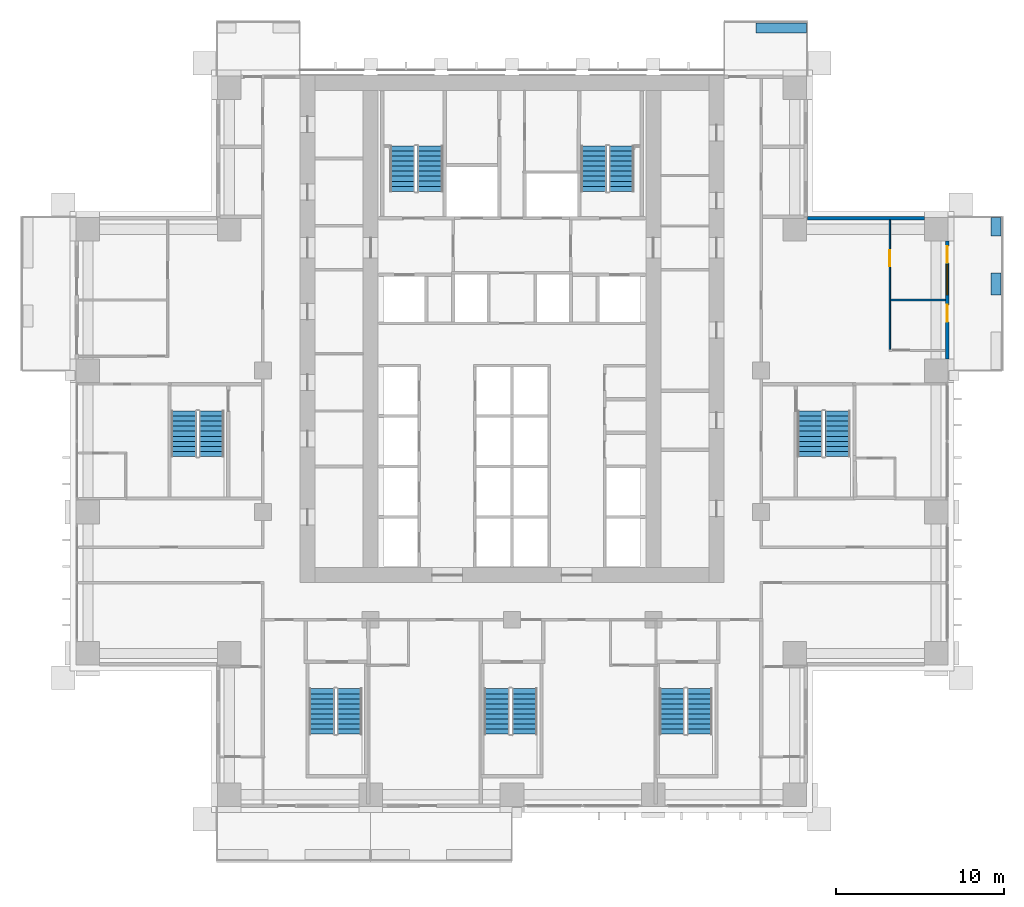
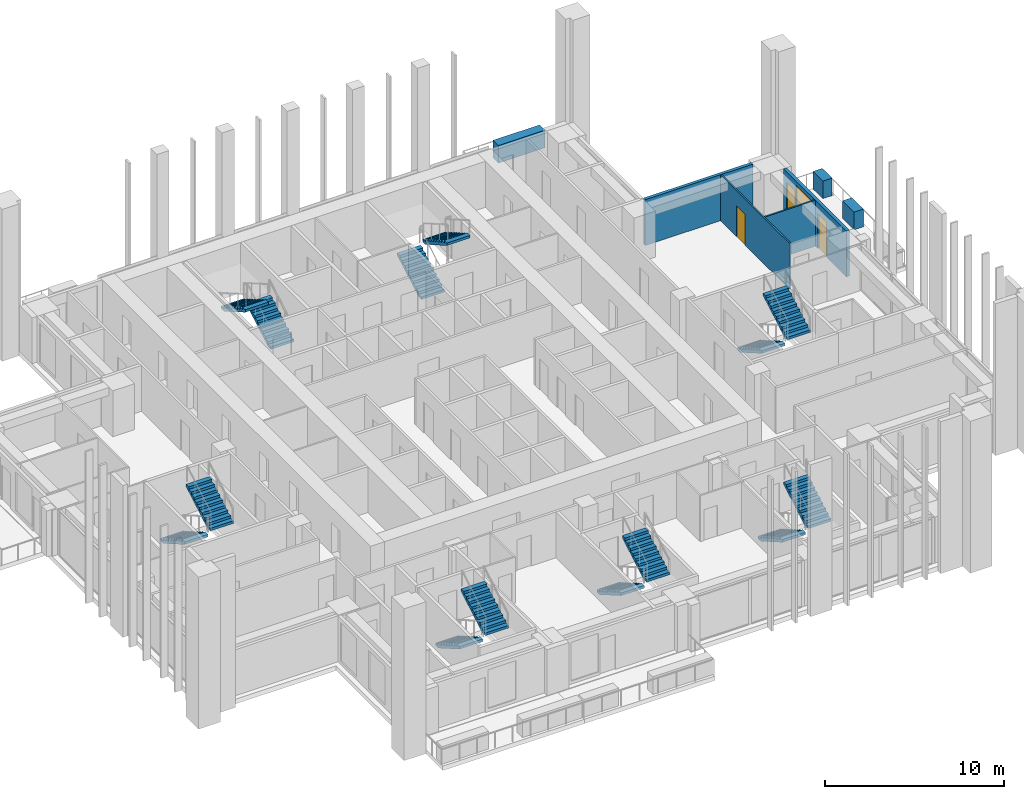
# One storey, part 12 of 17: 14 stair flights, 7 walls, 3 doors, 1 window, 4 openings, 7 elements without a shape of their own.
"""IFC4 building model written with IfcOpenShell, lengths in metres."""

from ifc_helpers import new_model, si_unit, direction, frame, frame_2d, origin, place, context, subcontext, project, spatial, polyline, rectangle, outline, extrude, material, layer, layer_set, type_object, element, fill, aggregate, save


model = new_model("IFC4")

# Units and contexts
model_context = context("Model", 3, precision=1e-05, world=origin(), true_north=direction((0.0, 1.0)))
body_context = subcontext(model_context, "Body", "Model", "MODEL_VIEW")
ifc_project = project(units=[si_unit("LENGTHUNIT", "METRE"), si_unit("AREAUNIT", "SQUARE_METRE"), si_unit("VOLUMEUNIT", "CUBIC_METRE"), si_unit("PLANEANGLEUNIT", "RADIAN"), si_unit("MASSUNIT", "GRAM", prefix="KILO")], contexts=[model_context])

# Site, building, storey
site_placement = place(None, origin())
site = spatial("IfcSite", under=ifc_project, at=site_placement, CompositionType="ELEMENT")
building_placement = place(site_placement, origin())
building = spatial("IfcBuilding", under=site, at=building_placement, Name="Vermilion Ogive Tower", CompositionType="ELEMENT")
storey_placement = place(building_placement, frame((0.0, 0.0, 37.949951171875)))
storey = spatial("IfcBuildingStorey", under=building, at=storey_placement, Name="L07", CompositionType="ELEMENT", Elevation=37.949951171875)

# Wall
ifc_material_1 = material(Name="Gypsum board partition on steel studs", Category="steel")
ifc_layer_1 = layer(ifc_material_1, 0.10009765625)
ifc_layer_set_1 = layer_set([ifc_layer_1], Name="Partition 100 inner")
wall_type_1 = type_object("IfcWallType", Name="Partition 100 inner", PredefinedType="PARTITIONING", material=ifc_layer_set_1)
wall_1_placement = place(storey_placement, frame((22.5, 8.39990234375, 0.0), z_axis=(0.0, 0.0, 1.0), x_axis=(1.0, 0.0, 0.0)))
element("IfcWall", 1, at=wall_1_placement, inside=storey, type_object=wall_type_1, Name="L07-W-W036", PredefinedType="PARTITIONING", context=body_context, shape_type="SweptSolid", body=[
    extrude(rectangle(XDim=3.25, YDim=0.10009765625, at=frame_2d((1.625, 0.0))), origin(), (0.0, 0.0, 1.0), 3.130126953125),
])

# Wall, opening, door
wall_2_placement = place(storey_placement, frame((22.449951171875, 5.449951171875, 0.0), z_axis=(0.0, 0.0, 1.0), x_axis=(0.0, 1.0, 0.0)))
wall_2 = element("IfcWall", 2, at=wall_2_placement, inside=storey, type_object=wall_type_1, Name="L07-W-W072", PredefinedType="PARTITIONING", context=body_context, shape_type="SweptSolid", body=[
    extrude(rectangle(XDim=7.699951171875, YDim=0.10009765625, at=frame_2d((3.85009765625, 0.0))), origin(), (0.0, 0.0, 1.0), 3.130126953125),
])
opening_1_placement = place(wall_2_placement, frame((4.949951171875, 0.0, 0.0)))
opening_1 = element("IfcOpeningElement", 3, at=opening_1_placement, cuts=wall_2, Name="Opening D1G2019", PredefinedType="OPENING", context=body_context, shape_type="SweptSolid", body=[
    extrude(rectangle(XDim=0.949951171875, YDim=2.10009765625, at=frame_2d((0.47509765625, 1.050048828125))), frame((0.0, 0.06005859375, 0.0), z_axis=(0.0, -1.0, 0.0), x_axis=(1.0, 0.0, 0.0)), (0.0, 0.0, 1.0), 0.1201171875),
])
ifc_material_2 = material(Name="Timber door leaf", Category="wood")
door_type_1 = type_object("IfcDoorType", Name="Inner door 950 x 2100 FD30", OperationType="SINGLE_SWING_LEFT", PredefinedType="DOOR", material=ifc_material_2)
door_1_placement = place(opening_1_placement, origin())
door_1 = element("IfcDoor", 4, at=door_1_placement, inside=storey, type_object=door_type_1, Name="L07-D-D019", OperationType="SINGLE_SWING_LEFT", OverallHeight=2.10009765625, OverallWidth=0.949951171875, PredefinedType="DOOR", context=body_context, shape_type="SweptSolid", body=[
    extrude(rectangle(XDim=0.949951171875, YDim=2.10009765625, at=frame_2d((0.47509765625, 1.050048828125))), frame((0.0, 0.02490234375, 0.0), z_axis=(0.0, -1.0, 0.0), x_axis=(1.0, 0.0, 0.0)), (0.0, 0.0, 1.0), 0.050048828125),
])
fill(opening_1, door_1)

# Walls
ifc_material_3 = material(Name="Concrete B40", Category="concrete")
ifc_layer_2 = layer(ifc_material_3, 0.60009765625)
ifc_layer_set_2 = layer_set([ifc_layer_2], Name="Structural planter")
wall_type_2 = type_object("IfcWallType", Name="Structural planter", PredefinedType="USERDEFINED", material=ifc_layer_set_2)
wall_3_placement = place(storey_placement, frame((28.75, 8.699951171875, -0.0400390625), z_axis=(0.0, 0.0, 1.0), x_axis=(0.0, 1.0, 0.0)))
element("IfcWall", 5, at=wall_3_placement, inside=storey, type_object=wall_type_2, Name="Planter E03A2", ObjectType="PLANTER", PredefinedType="USERDEFINED", context=body_context, shape_type="SweptSolid", body=[
    extrude(rectangle(XDim=1.300048828125, YDim=0.60009765625, at=frame_2d((0.64990234375, 0.0))), origin(), (0.0, 0.0, 1.0), 1.2001953125),
])
wall_4_placement = place(storey_placement, frame((28.75, 12.199951171875, -0.0400390625), z_axis=(0.0, 0.0, 1.0), x_axis=(0.0, 1.0, 0.0)))
element("IfcWall", 6, at=wall_4_placement, inside=storey, type_object=wall_type_2, Name="Planter E03A3", ObjectType="PLANTER", PredefinedType="USERDEFINED", context=body_context, shape_type="SweptSolid", body=[
    extrude(rectangle(XDim=1.090087890625, YDim=0.60009765625, at=frame_2d((0.544921875, 0.0))), origin(), (0.0, 0.0, 1.0), 1.2001953125),
])
wall_5_placement = place(storey_placement, frame((17.489990234375, 24.550048828125, -0.0400390625), z_axis=(0.0, 0.0, 1.0), x_axis=(-1.0, 0.0, 0.0)))
element("IfcWall", 7, at=wall_5_placement, inside=storey, type_object=wall_type_2, Name="Planter N101A1", ObjectType="PLANTER", PredefinedType="USERDEFINED", context=body_context, shape_type="SweptSolid", body=[
    extrude(rectangle(XDim=2.989990234375, YDim=0.60009765625, at=frame_2d((1.4951171875, 0.0))), origin(), (0.0, 0.0, 1.0), 1.2001953125),
])

# Wall, openings, doors, window
ifc_material_4 = material(Name="Aluminium window wall framing", Category="aluminium")
ifc_layer_3 = layer(ifc_material_4, 0.199951171875)
ifc_layer_set_3 = layer_set([ifc_layer_3], Name="Window wall")
wall_type_3 = type_object("IfcWallType", Name="Window wall", PredefinedType="STANDARD", material=ifc_layer_set_3)
wall_6_placement = place(storey_placement, frame((25.85009765625, 4.89990234375, 0.0), z_axis=(0.0, 0.0, 1.0), x_axis=(0.0, 1.0, 0.0)))
wall_6 = element("IfcWall", 8, at=wall_6_placement, inside=storey, type_object=wall_type_3, Name="Window wall E3", PredefinedType="STANDARD", context=body_context, shape_type="SweptSolid", body=[
    extrude(rectangle(XDim=7.0, YDim=0.199951171875, at=frame_2d((3.5, 0.0))), origin(), (0.0, 0.0, 1.0), 3.130126953125),
])
opening_2_placement = place(wall_6_placement, frame((2.199951171875, 0.0, 0.0)))
opening_2 = element("IfcOpeningElement", 9, at=opening_2_placement, cuts=wall_6, Name="Opening D1-E01", PredefinedType="OPENING", context=body_context, shape_type="SweptSolid", body=[
    extrude(rectangle(XDim=1.0, YDim=2.39990234375, at=frame_2d((0.5, 1.199951171875))), frame((0.0, 0.10986328125, 0.0), z_axis=(0.0, -1.0, 0.0), x_axis=(1.0, 0.0, 0.0)), (0.0, 0.0, 1.0), 0.219970703125),
])
opening_3_placement = place(wall_6_placement, frame((3.800048828125, 0.0, 0.199951171875)))
opening_3 = element("IfcOpeningElement", 10, at=opening_3_placement, cuts=wall_6, Name="Opening W1-E02", PredefinedType="OPENING", context=body_context, shape_type="SweptSolid", body=[
    extrude(rectangle(XDim=1.800048828125, YDim=2.64990234375, at=frame_2d((0.89990234375, 1.324951171875))), frame((0.0, 0.10986328125, 0.0), z_axis=(0.0, -1.0, 0.0), x_axis=(1.0, 0.0, 0.0)), (0.0, 0.0, 1.0), 0.219970703125),
])
opening_4_placement = place(wall_6_placement, frame((5.699951171875, 0.0, 0.0)))
opening_4 = element("IfcOpeningElement", 11, at=opening_4_placement, cuts=wall_6, Name="Opening D1-E02", PredefinedType="OPENING", context=body_context, shape_type="SweptSolid", body=[
    extrude(rectangle(XDim=1.0, YDim=2.39990234375, at=frame_2d((0.5, 1.199951171875))), frame((0.0, 0.10986328125, 0.0), z_axis=(0.0, -1.0, 0.0), x_axis=(1.0, 0.0, 0.0)), (0.0, 0.0, 1.0), 0.219970703125),
])
ifc_material_5 = material(Name="Aluminium framed glazed door", Category="aluminium")
door_type_2 = type_object("IfcDoorType", Name="Balcony door D1", OperationType="SINGLE_SWING_LEFT", PredefinedType="DOOR", material=ifc_material_5)
door_2_placement = place(opening_2_placement, origin())
door_2 = element("IfcDoor", 12, at=door_2_placement, inside=storey, type_object=door_type_2, Name="Balcony door E01", OperationType="SINGLE_SWING_LEFT", OverallHeight=2.39990234375, OverallWidth=1.0, PredefinedType="DOOR", context=body_context, shape_type="SweptSolid", body=[
    extrude(rectangle(XDim=1.0, YDim=2.39990234375, at=frame_2d((0.5, 1.199951171875))), frame((0.0, 0.02490234375, 0.0), z_axis=(0.0, -1.0, 0.0), x_axis=(1.0, 0.0, 0.0)), (0.0, 0.0, 1.0), 0.050048828125),
])
fill(opening_2, door_2)
door_3_placement = place(opening_4_placement, origin())
door_3 = element("IfcDoor", 13, at=door_3_placement, inside=storey, type_object=door_type_2, Name="Balcony door E02", OperationType="SINGLE_SWING_LEFT", OverallHeight=2.39990234375, OverallWidth=1.0, PredefinedType="DOOR", context=body_context, shape_type="SweptSolid", body=[
    extrude(rectangle(XDim=1.0, YDim=2.39990234375, at=frame_2d((0.5, 1.199951171875))), frame((0.0, 0.02490234375, 0.0), z_axis=(0.0, -1.0, 0.0), x_axis=(1.0, 0.0, 0.0)), (0.0, 0.0, 1.0), 0.050048828125),
])
fill(opening_4, door_3)
ifc_material_6 = material(Name="Aluminium framed double glazing", Category="aluminium")
window_type = type_object("IfcWindowType", Name="Guest window W1", PartitioningType="SINGLE_PANEL", PredefinedType="WINDOW", material=ifc_material_6)
window_placement = place(opening_3_placement, origin())
window = element("IfcWindow", 14, at=window_placement, inside=storey, type_object=window_type, Name="Window E02", OverallHeight=2.64990234375, OverallWidth=1.800048828125, PartitioningType="SINGLE_PANEL", PredefinedType="WINDOW", context=body_context, shape_type="SweptSolid", body=[
    extrude(rectangle(XDim=1.800048828125, YDim=2.64990234375, at=frame_2d((0.89990234375, 1.324951171875))), frame((0.0, 0.030029296875, 0.0), z_axis=(0.0, -1.0, 0.0), x_axis=(1.0, 0.0, 0.0)), (0.0, 0.0, 1.0), 0.06005859375),
])
fill(opening_3, window)

# Wall
wall_7_placement = place(storey_placement, frame((24.5, 13.25, 0.0), z_axis=(0.0, 0.0, 1.0), x_axis=(-1.0, 0.0, 0.0)))
element("IfcWall", 15, at=wall_7_placement, inside=storey, type_object=wall_type_3, Name="Window wall X31", PredefinedType="STANDARD", context=body_context, shape_type="SweptSolid", body=[
    extrude(rectangle(XDim=6.949951171875, YDim=0.199951171875, at=frame_2d((3.47509765625, 0.0))), origin(), (0.0, 0.0, 1.0), 3.130126953125),
])

# Stair, stair flights
ifc_material_7 = material(Name="Concrete B40", Category="concrete")
stair_type = type_object("IfcStairType", Name="Exit stair 1500", PredefinedType="HALF_TURN_STAIR", material=ifc_material_7)
stair_1_placement = place(storey_placement, origin())
stair_1 = element("IfcStair", 16, at=stair_1_placement, inside=storey, type_object=stair_type, Name="L07 Exit Stair ST1", PredefinedType="HALF_TURN_STAIR")
ifc_material_8 = material(Name="Concrete B40", Category="concrete")
stair_flight_type = type_object("IfcStairFlightType", Name="Stair flight 1500", PredefinedType="STRAIGHT", material=ifc_material_8)
stair_flight_1_placement = place(storey_placement, frame((-4.85009765625, 14.85009765625, 0.0), z_axis=(0.0, 0.0, 1.0), x_axis=(0.0, 1.0, 0.0)))
stair_flight_1 = element("IfcStairFlight", 17, at=stair_flight_1_placement, type_object=stair_flight_type, Name="ST1 flight 1", NumberOfRisers=10, NumberOfTreads=9, PredefinedType="STRAIGHT", RiserHeight=0.1725, TreadLength=0.3, context=body_context, shape_type="SweptSolid", body=[
    extrude(outline(polyline([(0.0, 0.0), (0.0, 0.172607421875), (0.300048828125, 0.172607421875), (0.300048828125, 0.344970703125), (0.60009765625, 0.344970703125), (0.60009765625, 0.517578125), (0.89990234375, 0.517578125), (0.89990234375, 0.68994140625), (1.199951171875, 0.68994140625), (1.199951171875, 0.862548828125), (1.5, 0.862548828125), (1.5, 1.034912109375), (1.800048828125, 1.034912109375), (1.800048828125, 1.20751953125), (2.10009765625, 1.20751953125), (2.10009765625, 1.3798828125), (2.39990234375, 1.3798828125), (2.39990234375, 1.552490234375), (2.699951171875, 1.552490234375), (2.699951171875, 1.72509765625), (2.699951171875, 1.379638671875), (0.30078125, 0.0), (0.0, 0.0)])), frame((0.0, 0.75, 0.0), z_axis=(0.0, -1.0, 0.0), x_axis=(1.0, 0.0, 0.0)), (0.0, 0.0, 1.0), 1.5),
])
stair_flight_2_placement = place(storey_placement, frame((-6.5, 17.550048828125, 1.72509765625), z_axis=(0.0, 0.0, 1.0), x_axis=(0.0, -1.0, 0.0)))
stair_flight_2 = element("IfcStairFlight", 18, at=stair_flight_2_placement, type_object=stair_flight_type, Name="ST1 flight 2", NumberOfRisers=10, NumberOfTreads=9, PredefinedType="STRAIGHT", RiserHeight=0.1725, TreadLength=0.3, context=body_context, shape_type="SweptSolid", body=[
    extrude(outline(polyline([(0.0, 0.0), (0.0, 0.172607421875), (0.300048828125, 0.172607421875), (0.300048828125, 0.344970703125), (0.60009765625, 0.344970703125), (0.60009765625, 0.517578125), (0.89990234375, 0.517578125), (0.89990234375, 0.68994140625), (1.199951171875, 0.68994140625), (1.199951171875, 0.862548828125), (1.5, 0.862548828125), (1.5, 1.034912109375), (1.800048828125, 1.034912109375), (1.800048828125, 1.20751953125), (2.10009765625, 1.20751953125), (2.10009765625, 1.3798828125), (2.39990234375, 1.3798828125), (2.39990234375, 1.552490234375), (2.699951171875, 1.552490234375), (2.699951171875, 1.72509765625), (2.699951171875, 1.379638671875), (0.30078125, 0.0), (0.0, 0.0)])), frame((0.0, 0.75, 0.0), z_axis=(0.0, -1.0, 0.0), x_axis=(1.0, 0.0, 0.0)), (0.0, 0.0, 1.0), 1.5),
])
aggregate(stair_1, [stair_flight_1, stair_flight_2])

stair_2_placement = place(storey_placement, origin())
stair_2 = element("IfcStair", 19, at=stair_2_placement, inside=storey, type_object=stair_type, Name="L07 Exit Stair ST2", PredefinedType="HALF_TURN_STAIR")
stair_flight_3_placement = place(storey_placement, frame((4.85009765625, 14.85009765625, 0.0), z_axis=(0.0, 0.0, 1.0), x_axis=(0.0, 1.0, 0.0)))
stair_flight_3 = element("IfcStairFlight", 20, at=stair_flight_3_placement, type_object=stair_flight_type, Name="ST2 flight 1", NumberOfRisers=10, NumberOfTreads=9, PredefinedType="STRAIGHT", RiserHeight=0.1725, TreadLength=0.3, context=body_context, shape_type="SweptSolid", body=[
    extrude(outline(polyline([(0.0, 0.0), (0.0, 0.172607421875), (0.300048828125, 0.172607421875), (0.300048828125, 0.344970703125), (0.60009765625, 0.344970703125), (0.60009765625, 0.517578125), (0.89990234375, 0.517578125), (0.89990234375, 0.68994140625), (1.199951171875, 0.68994140625), (1.199951171875, 0.862548828125), (1.5, 0.862548828125), (1.5, 1.034912109375), (1.800048828125, 1.034912109375), (1.800048828125, 1.20751953125), (2.10009765625, 1.20751953125), (2.10009765625, 1.3798828125), (2.39990234375, 1.3798828125), (2.39990234375, 1.552490234375), (2.699951171875, 1.552490234375), (2.699951171875, 1.72509765625), (2.699951171875, 1.379638671875), (0.30078125, 0.0), (0.0, 0.0)])), frame((0.0, 0.75, 0.0), z_axis=(0.0, -1.0, 0.0), x_axis=(1.0, 0.0, 0.0)), (0.0, 0.0, 1.0), 1.5),
])
stair_flight_4_placement = place(storey_placement, frame((6.5, 17.550048828125, 1.72509765625), z_axis=(0.0, 0.0, 1.0), x_axis=(0.0, -1.0, 0.0)))
stair_flight_4 = element("IfcStairFlight", 21, at=stair_flight_4_placement, type_object=stair_flight_type, Name="ST2 flight 2", NumberOfRisers=10, NumberOfTreads=9, PredefinedType="STRAIGHT", RiserHeight=0.1725, TreadLength=0.3, context=body_context, shape_type="SweptSolid", body=[
    extrude(outline(polyline([(0.0, 0.0), (0.0, 0.172607421875), (0.300048828125, 0.172607421875), (0.300048828125, 0.344970703125), (0.60009765625, 0.344970703125), (0.60009765625, 0.517578125), (0.89990234375, 0.517578125), (0.89990234375, 0.68994140625), (1.199951171875, 0.68994140625), (1.199951171875, 0.862548828125), (1.5, 0.862548828125), (1.5, 1.034912109375), (1.800048828125, 1.034912109375), (1.800048828125, 1.20751953125), (2.10009765625, 1.20751953125), (2.10009765625, 1.3798828125), (2.39990234375, 1.3798828125), (2.39990234375, 1.552490234375), (2.699951171875, 1.552490234375), (2.699951171875, 1.72509765625), (2.699951171875, 1.379638671875), (0.30078125, 0.0), (0.0, 0.0)])), frame((0.0, 0.75, 0.0), z_axis=(0.0, -1.0, 0.0), x_axis=(1.0, 0.0, 0.0)), (0.0, 0.0, 1.0), 1.5),
])
aggregate(stair_2, [stair_flight_3, stair_flight_4])

stair_3_placement = place(storey_placement, origin())
stair_3 = element("IfcStair", 22, at=stair_3_placement, inside=storey, type_object=stair_type, Name="L07 Exit Stair ST3", PredefinedType="HALF_TURN_STAIR")
stair_flight_5_placement = place(storey_placement, frame((-11.300048828125, -14.699951171875, 0.0), z_axis=(0.0, 0.0, 1.0), x_axis=(0.0, -1.0, 0.0)))
stair_flight_5 = element("IfcStairFlight", 23, at=stair_flight_5_placement, type_object=stair_flight_type, Name="ST3 flight 1", NumberOfRisers=10, NumberOfTreads=9, PredefinedType="STRAIGHT", RiserHeight=0.1725, TreadLength=0.3, context=body_context, shape_type="SweptSolid", body=[
    extrude(outline(polyline([(0.0, 0.0), (0.0, 0.172607421875), (0.300048828125, 0.172607421875), (0.300048828125, 0.344970703125), (0.60009765625, 0.344970703125), (0.60009765625, 0.517578125), (0.89990234375, 0.517578125), (0.89990234375, 0.68994140625), (1.199951171875, 0.68994140625), (1.199951171875, 0.862548828125), (1.5, 0.862548828125), (1.5, 1.034912109375), (1.800048828125, 1.034912109375), (1.800048828125, 1.20751953125), (2.10009765625, 1.20751953125), (2.10009765625, 1.3798828125), (2.39990234375, 1.3798828125), (2.39990234375, 1.552490234375), (2.699951171875, 1.552490234375), (2.699951171875, 1.72509765625), (2.699951171875, 1.379638671875), (0.30078125, 0.0), (0.0, 0.0)])), frame((0.0, 0.75, 0.0), z_axis=(0.0, -1.0, 0.0), x_axis=(1.0, 0.0, 0.0)), (0.0, 0.0, 1.0), 1.5),
])
stair_flight_6_placement = place(storey_placement, frame((-9.64990234375, -17.39990234375, 1.72509765625), z_axis=(0.0, 0.0, 1.0), x_axis=(0.0, 1.0, 0.0)))
stair_flight_6 = element("IfcStairFlight", 24, at=stair_flight_6_placement, type_object=stair_flight_type, Name="ST3 flight 2", NumberOfRisers=10, NumberOfTreads=9, PredefinedType="STRAIGHT", RiserHeight=0.1725, TreadLength=0.3, context=body_context, shape_type="SweptSolid", body=[
    extrude(outline(polyline([(0.0, 0.0), (0.0, 0.172607421875), (0.300048828125, 0.172607421875), (0.300048828125, 0.344970703125), (0.60009765625, 0.344970703125), (0.60009765625, 0.517578125), (0.89990234375, 0.517578125), (0.89990234375, 0.68994140625), (1.199951171875, 0.68994140625), (1.199951171875, 0.862548828125), (1.5, 0.862548828125), (1.5, 1.034912109375), (1.800048828125, 1.034912109375), (1.800048828125, 1.20751953125), (2.10009765625, 1.20751953125), (2.10009765625, 1.3798828125), (2.39990234375, 1.3798828125), (2.39990234375, 1.552490234375), (2.699951171875, 1.552490234375), (2.699951171875, 1.72509765625), (2.699951171875, 1.379638671875), (0.30078125, 0.0), (0.0, 0.0)])), frame((0.0, 0.75, 0.0), z_axis=(0.0, -1.0, 0.0), x_axis=(1.0, 0.0, 0.0)), (0.0, 0.0, 1.0), 1.5),
])
aggregate(stair_3, [stair_flight_5, stair_flight_6])

stair_4_placement = place(storey_placement, origin())
stair_4 = element("IfcStair", 25, at=stair_4_placement, inside=storey, type_object=stair_type, Name="L07 Exit Stair ST4", PredefinedType="HALF_TURN_STAIR")
stair_flight_7_placement = place(storey_placement, frame((-0.89990234375, -14.699951171875, 0.0), z_axis=(0.0, 0.0, 1.0), x_axis=(0.0, -1.0, 0.0)))
stair_flight_7 = element("IfcStairFlight", 26, at=stair_flight_7_placement, type_object=stair_flight_type, Name="ST4 flight 1", NumberOfRisers=10, NumberOfTreads=9, PredefinedType="STRAIGHT", RiserHeight=0.1725, TreadLength=0.3, context=body_context, shape_type="SweptSolid", body=[
    extrude(outline(polyline([(0.0, 0.0), (0.0, 0.172607421875), (0.300048828125, 0.172607421875), (0.300048828125, 0.344970703125), (0.60009765625, 0.344970703125), (0.60009765625, 0.517578125), (0.89990234375, 0.517578125), (0.89990234375, 0.68994140625), (1.199951171875, 0.68994140625), (1.199951171875, 0.862548828125), (1.5, 0.862548828125), (1.5, 1.034912109375), (1.800048828125, 1.034912109375), (1.800048828125, 1.20751953125), (2.10009765625, 1.20751953125), (2.10009765625, 1.3798828125), (2.39990234375, 1.3798828125), (2.39990234375, 1.552490234375), (2.699951171875, 1.552490234375), (2.699951171875, 1.72509765625), (2.699951171875, 1.379638671875), (0.30078125, 0.0), (0.0, 0.0)])), frame((0.0, 0.75, 0.0), z_axis=(0.0, -1.0, 0.0), x_axis=(1.0, 0.0, 0.0)), (0.0, 0.0, 1.0), 1.5),
])
stair_flight_8_placement = place(storey_placement, frame((0.75, -17.39990234375, 1.72509765625), z_axis=(0.0, 0.0, 1.0), x_axis=(0.0, 1.0, 0.0)))
stair_flight_8 = element("IfcStairFlight", 27, at=stair_flight_8_placement, type_object=stair_flight_type, Name="ST4 flight 2", NumberOfRisers=10, NumberOfTreads=9, PredefinedType="STRAIGHT", RiserHeight=0.1725, TreadLength=0.3, context=body_context, shape_type="SweptSolid", body=[
    extrude(outline(polyline([(0.0, 0.0), (0.0, 0.172607421875), (0.300048828125, 0.172607421875), (0.300048828125, 0.344970703125), (0.60009765625, 0.344970703125), (0.60009765625, 0.517578125), (0.89990234375, 0.517578125), (0.89990234375, 0.68994140625), (1.199951171875, 0.68994140625), (1.199951171875, 0.862548828125), (1.5, 0.862548828125), (1.5, 1.034912109375), (1.800048828125, 1.034912109375), (1.800048828125, 1.20751953125), (2.10009765625, 1.20751953125), (2.10009765625, 1.3798828125), (2.39990234375, 1.3798828125), (2.39990234375, 1.552490234375), (2.699951171875, 1.552490234375), (2.699951171875, 1.72509765625), (2.699951171875, 1.379638671875), (0.30078125, 0.0), (0.0, 0.0)])), frame((0.0, 0.75, 0.0), z_axis=(0.0, -1.0, 0.0), x_axis=(1.0, 0.0, 0.0)), (0.0, 0.0, 1.0), 1.5),
])
aggregate(stair_4, [stair_flight_7, stair_flight_8])

stair_5_placement = place(storey_placement, origin())
stair_5 = element("IfcStair", 28, at=stair_5_placement, inside=storey, type_object=stair_type, Name="L07 Exit Stair ST5", PredefinedType="HALF_TURN_STAIR")
stair_flight_9_placement = place(storey_placement, frame((9.5, -14.699951171875, 0.0), z_axis=(0.0, 0.0, 1.0), x_axis=(0.0, -1.0, 0.0)))
stair_flight_9 = element("IfcStairFlight", 29, at=stair_flight_9_placement, type_object=stair_flight_type, Name="ST5 flight 1", NumberOfRisers=10, NumberOfTreads=9, PredefinedType="STRAIGHT", RiserHeight=0.1725, TreadLength=0.3, context=body_context, shape_type="SweptSolid", body=[
    extrude(outline(polyline([(0.0, 0.0), (0.0, 0.172607421875), (0.300048828125, 0.172607421875), (0.300048828125, 0.344970703125), (0.60009765625, 0.344970703125), (0.60009765625, 0.517578125), (0.89990234375, 0.517578125), (0.89990234375, 0.68994140625), (1.199951171875, 0.68994140625), (1.199951171875, 0.862548828125), (1.5, 0.862548828125), (1.5, 1.034912109375), (1.800048828125, 1.034912109375), (1.800048828125, 1.20751953125), (2.10009765625, 1.20751953125), (2.10009765625, 1.3798828125), (2.39990234375, 1.3798828125), (2.39990234375, 1.552490234375), (2.699951171875, 1.552490234375), (2.699951171875, 1.72509765625), (2.699951171875, 1.379638671875), (0.30078125, 0.0), (0.0, 0.0)])), frame((0.0, 0.75, 0.0), z_axis=(0.0, -1.0, 0.0), x_axis=(1.0, 0.0, 0.0)), (0.0, 0.0, 1.0), 1.5),
])
stair_flight_10_placement = place(storey_placement, frame((11.14990234375, -17.39990234375, 1.72509765625), z_axis=(0.0, 0.0, 1.0), x_axis=(0.0, 1.0, 0.0)))
stair_flight_10 = element("IfcStairFlight", 30, at=stair_flight_10_placement, type_object=stair_flight_type, Name="ST5 flight 2", NumberOfRisers=10, NumberOfTreads=9, PredefinedType="STRAIGHT", RiserHeight=0.1725, TreadLength=0.3, context=body_context, shape_type="SweptSolid", body=[
    extrude(outline(polyline([(0.0, 0.0), (0.0, 0.172607421875), (0.300048828125, 0.172607421875), (0.300048828125, 0.344970703125), (0.60009765625, 0.344970703125), (0.60009765625, 0.517578125), (0.89990234375, 0.517578125), (0.89990234375, 0.68994140625), (1.199951171875, 0.68994140625), (1.199951171875, 0.862548828125), (1.5, 0.862548828125), (1.5, 1.034912109375), (1.800048828125, 1.034912109375), (1.800048828125, 1.20751953125), (2.10009765625, 1.20751953125), (2.10009765625, 1.3798828125), (2.39990234375, 1.3798828125), (2.39990234375, 1.552490234375), (2.699951171875, 1.552490234375), (2.699951171875, 1.72509765625), (2.699951171875, 1.379638671875), (0.30078125, 0.0), (0.0, 0.0)])), frame((0.0, 0.75, 0.0), z_axis=(0.0, -1.0, 0.0), x_axis=(1.0, 0.0, 0.0)), (0.0, 0.0, 1.0), 1.5),
])
aggregate(stair_5, [stair_flight_9, stair_flight_10])

stair_6_placement = place(storey_placement, origin())
stair_6 = element("IfcStair", 31, at=stair_6_placement, inside=storey, type_object=stair_type, Name="L07 Exit Stair ST8", PredefinedType="HALF_TURN_STAIR")
stair_flight_11_placement = place(storey_placement, frame((17.699951171875, 1.800048828125, 0.0), z_axis=(0.0, 0.0, 1.0), x_axis=(0.0, -1.0, 0.0)))
stair_flight_11 = element("IfcStairFlight", 32, at=stair_flight_11_placement, type_object=stair_flight_type, Name="ST8 flight 1", NumberOfRisers=10, NumberOfTreads=9, PredefinedType="STRAIGHT", RiserHeight=0.1725, TreadLength=0.3, context=body_context, shape_type="SweptSolid", body=[
    extrude(outline(polyline([(0.0, 0.0), (0.0, 0.172607421875), (0.300048828125, 0.172607421875), (0.300048828125, 0.344970703125), (0.60009765625, 0.344970703125), (0.60009765625, 0.517578125), (0.89990234375, 0.517578125), (0.89990234375, 0.68994140625), (1.199951171875, 0.68994140625), (1.199951171875, 0.862548828125), (1.5, 0.862548828125), (1.5, 1.034912109375), (1.800048828125, 1.034912109375), (1.800048828125, 1.20751953125), (2.10009765625, 1.20751953125), (2.10009765625, 1.3798828125), (2.39990234375, 1.3798828125), (2.39990234375, 1.552490234375), (2.699951171875, 1.552490234375), (2.699951171875, 1.72509765625), (2.699951171875, 1.379638671875), (0.30078125, 0.0), (0.0, 0.0)])), frame((0.0, 0.75, 0.0), z_axis=(0.0, -1.0, 0.0), x_axis=(1.0, 0.0, 0.0)), (0.0, 0.0, 1.0), 1.5),
])
stair_flight_12_placement = place(storey_placement, frame((19.35009765625, -0.89990234375, 1.72509765625), z_axis=(0.0, 0.0, 1.0), x_axis=(0.0, 1.0, 0.0)))
stair_flight_12 = element("IfcStairFlight", 33, at=stair_flight_12_placement, type_object=stair_flight_type, Name="ST8 flight 2", NumberOfRisers=10, NumberOfTreads=9, PredefinedType="STRAIGHT", RiserHeight=0.1725, TreadLength=0.3, context=body_context, shape_type="SweptSolid", body=[
    extrude(outline(polyline([(0.0, 0.0), (0.0, 0.172607421875), (0.300048828125, 0.172607421875), (0.300048828125, 0.344970703125), (0.60009765625, 0.344970703125), (0.60009765625, 0.517578125), (0.89990234375, 0.517578125), (0.89990234375, 0.68994140625), (1.199951171875, 0.68994140625), (1.199951171875, 0.862548828125), (1.5, 0.862548828125), (1.5, 1.034912109375), (1.800048828125, 1.034912109375), (1.800048828125, 1.20751953125), (2.10009765625, 1.20751953125), (2.10009765625, 1.3798828125), (2.39990234375, 1.3798828125), (2.39990234375, 1.552490234375), (2.699951171875, 1.552490234375), (2.699951171875, 1.72509765625), (2.699951171875, 1.379638671875), (0.30078125, 0.0), (0.0, 0.0)])), frame((0.0, 0.75, 0.0), z_axis=(0.0, -1.0, 0.0), x_axis=(1.0, 0.0, 0.0)), (0.0, 0.0, 1.0), 1.5),
])
aggregate(stair_6, [stair_flight_11, stair_flight_12])

stair_7_placement = place(storey_placement, origin())
stair_7 = element("IfcStair", 34, at=stair_7_placement, inside=storey, type_object=stair_type, Name="L07 Exit Stair ST9", PredefinedType="HALF_TURN_STAIR")
stair_flight_13_placement = place(storey_placement, frame((-19.5, 1.800048828125, 0.0), z_axis=(0.0, 0.0, 1.0), x_axis=(0.0, -1.0, 0.0)))
stair_flight_13 = element("IfcStairFlight", 35, at=stair_flight_13_placement, type_object=stair_flight_type, Name="ST9 flight 1", NumberOfRisers=10, NumberOfTreads=9, PredefinedType="STRAIGHT", RiserHeight=0.1725, TreadLength=0.3, context=body_context, shape_type="SweptSolid", body=[
    extrude(outline(polyline([(0.0, 0.0), (0.0, 0.172607421875), (0.300048828125, 0.172607421875), (0.300048828125, 0.344970703125), (0.60009765625, 0.344970703125), (0.60009765625, 0.517578125), (0.89990234375, 0.517578125), (0.89990234375, 0.68994140625), (1.199951171875, 0.68994140625), (1.199951171875, 0.862548828125), (1.5, 0.862548828125), (1.5, 1.034912109375), (1.800048828125, 1.034912109375), (1.800048828125, 1.20751953125), (2.10009765625, 1.20751953125), (2.10009765625, 1.3798828125), (2.39990234375, 1.3798828125), (2.39990234375, 1.552490234375), (2.699951171875, 1.552490234375), (2.699951171875, 1.72509765625), (2.699951171875, 1.379638671875), (0.30078125, 0.0), (0.0, 0.0)])), frame((0.0, 0.75, 0.0), z_axis=(0.0, -1.0, 0.0), x_axis=(1.0, 0.0, 0.0)), (0.0, 0.0, 1.0), 1.5),
])
stair_flight_14_placement = place(storey_placement, frame((-17.85009765625, -0.89990234375, 1.72509765625), z_axis=(0.0, 0.0, 1.0), x_axis=(0.0, 1.0, 0.0)))
stair_flight_14 = element("IfcStairFlight", 36, at=stair_flight_14_placement, type_object=stair_flight_type, Name="ST9 flight 2", NumberOfRisers=10, NumberOfTreads=9, PredefinedType="STRAIGHT", RiserHeight=0.1725, TreadLength=0.3, context=body_context, shape_type="SweptSolid", body=[
    extrude(outline(polyline([(0.0, 0.0), (0.0, 0.172607421875), (0.300048828125, 0.172607421875), (0.300048828125, 0.344970703125), (0.60009765625, 0.344970703125), (0.60009765625, 0.517578125), (0.89990234375, 0.517578125), (0.89990234375, 0.68994140625), (1.199951171875, 0.68994140625), (1.199951171875, 0.862548828125), (1.5, 0.862548828125), (1.5, 1.034912109375), (1.800048828125, 1.034912109375), (1.800048828125, 1.20751953125), (2.10009765625, 1.20751953125), (2.10009765625, 1.3798828125), (2.39990234375, 1.3798828125), (2.39990234375, 1.552490234375), (2.699951171875, 1.552490234375), (2.699951171875, 1.72509765625), (2.699951171875, 1.379638671875), (0.30078125, 0.0), (0.0, 0.0)])), frame((0.0, 0.75, 0.0), z_axis=(0.0, -1.0, 0.0), x_axis=(1.0, 0.0, 0.0)), (0.0, 0.0, 1.0), 1.5),
])
aggregate(stair_7, [stair_flight_13, stair_flight_14])

save(model, "model.ifc")
